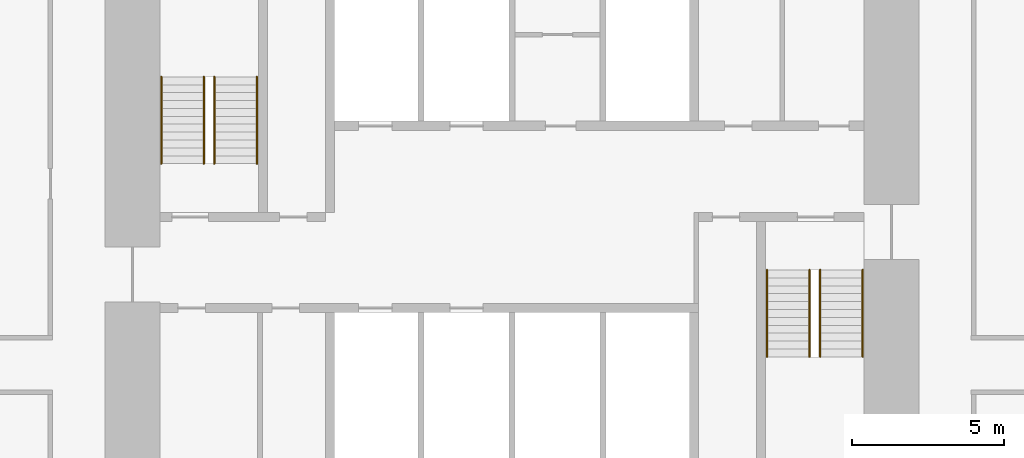
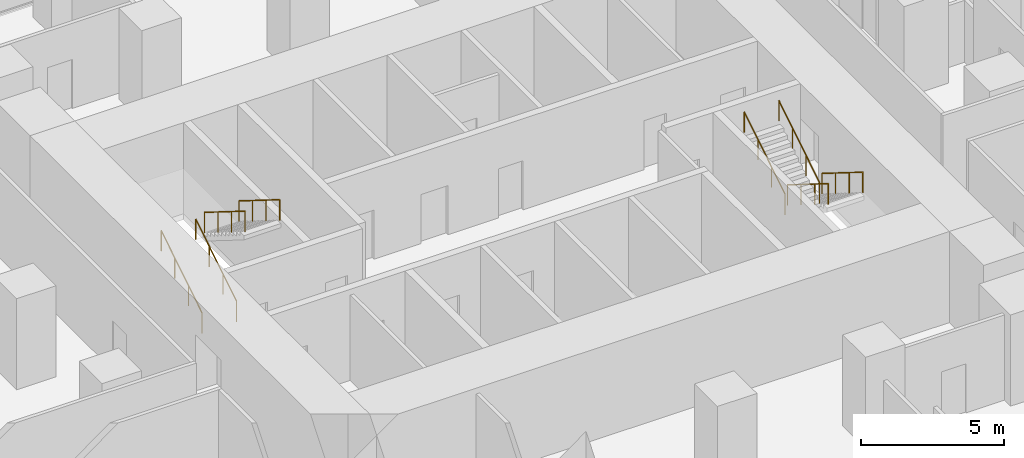
# One storey, part 11 of 11: 8 railings.
"""IFC4 building model written with IfcOpenShell, lengths in metres."""

from ifc_helpers import new_model, si_unit, direction, frame, origin, origin_2d, place, context, subcontext, project, spatial, circle, extrude, material, type_object, element, save


model = new_model("IFC4")

# Units and contexts
model_context = context("Model", 3, precision=1e-05, world=origin(), true_north=direction((0.0, 1.0)))
body_context = subcontext(model_context, "Body", "Model", "MODEL_VIEW")
ifc_project = project(units=[si_unit("LENGTHUNIT", "METRE"), si_unit("AREAUNIT", "SQUARE_METRE"), si_unit("VOLUMEUNIT", "CUBIC_METRE"), si_unit("PLANEANGLEUNIT", "RADIAN"), si_unit("MASSUNIT", "GRAM", prefix="KILO")], contexts=[model_context])

# Site, building, storey
site_placement = place(None, origin())
site = spatial("IfcSite", under=ifc_project, at=site_placement, CompositionType="ELEMENT")
building_placement = place(site_placement, origin())
building = spatial("IfcBuilding", under=site, at=building_placement, Name="Highveld Stack Headquarters", CompositionType="ELEMENT")
storey_placement = place(building_placement, frame((0.0, 0.0, 152.300048828125)))
storey = spatial("IfcBuildingStorey", under=building, at=storey_placement, Name="L37", CompositionType="ELEMENT", Elevation=152.300048828125)

# Railings
ifc_material = material(Name="Stainless steel handrail", Category="steel")
railing_type = type_object("IfcRailingType", Name="STAIR HANDRAIL HR1 900", PredefinedType="HANDRAIL", material=ifc_material)
for number, where, name in (
    (1, (-5.550048828125, 4.75, 0.162353515625), "Handrail S1 L37 flight 1"),
    (2, (-4.14990234375, 4.75, 0.162353515625), "Handrail S1 L37 flight 1"),
):
    element("IfcRailing", number, at=place(storey_placement, frame(where)), inside=storey, type_object=railing_type, Name=name, PredefinedType="HANDRAIL", context=body_context, shape_type="SweptSolid", body=[
        extrude(circle(Radius=0.02392578125, at=origin_2d()), frame((0.0, 0.0, 0.8759765625), z_axis=(0.0, 0.847994237388, 0.530005446535), x_axis=(-1.0, 0.0, 0.0)), (0.0, 0.0, 1.0), 3.372802734375),
        extrude(circle(Radius=0.02099609375, at=origin_2d()), origin(), (0.0, 0.0, 1.0), 0.851806640625),
        extrude(circle(Radius=0.02099609375, at=origin_2d()), frame((0.0, 0.953369140625, 0.595947265625)), (0.0, 0.0, 1.0), 0.851806640625),
        extrude(circle(Radius=0.02099609375, at=origin_2d()), frame((0.0, 1.90673828125, 1.191650390625)), (0.0, 0.0, 1.0), 0.851806640625),
        extrude(circle(Radius=0.02099609375, at=origin_2d()), frame((0.0, 2.860107421875, 1.78759765625)), (0.0, 0.0, 1.0), 0.851806640625),
    ])
for number, where, name in (
    (3, (-3.800048828125, 7.610107421875, 2.112548828125), "Handrail S1 L37 flight 2"),
    (4, (-2.39990234375, 7.610107421875, 2.112548828125), "Handrail S1 L37 flight 2"),
):
    element("IfcRailing", number, at=place(storey_placement, frame(where)), inside=storey, type_object=railing_type, Name=name, PredefinedType="HANDRAIL", context=body_context, shape_type="SweptSolid", body=[
        extrude(circle(Radius=0.02392578125, at=origin_2d()), frame((0.0, 0.0, 0.8759765625), z_axis=(0.0, -0.848026770018, 0.529953391661), x_axis=(1.0, 0.0, 0.0)), (0.0, 0.0, 1.0), 3.37255859375),
        extrude(circle(Radius=0.02099609375, at=origin_2d()), origin(), (0.0, 0.0, 1.0), 0.851806640625),
        extrude(circle(Radius=0.02099609375, at=origin_2d()), frame((0.0, -0.953369140625, 0.595703125)), (0.0, 0.0, 1.0), 0.851806640625),
        extrude(circle(Radius=0.02099609375, at=origin_2d()), frame((0.0, -1.90673828125, 1.191650390625)), (0.0, 0.0, 1.0), 0.851806640625),
        extrude(circle(Radius=0.02099609375, at=origin_2d()), frame((0.0, -2.860107421875, 1.787353515625)), (0.0, 0.0, 1.0), 0.851806640625),
    ])
for number, where, name in (
    (5, (16.14990234375, 1.25, 0.162353515625), "Handrail S2 L37 flight 1"),
    (6, (17.550048828125, 1.25, 0.162353515625), "Handrail S2 L37 flight 1"),
):
    element("IfcRailing", number, at=place(storey_placement, frame(where)), inside=storey, type_object=railing_type, Name=name, PredefinedType="HANDRAIL", context=body_context, shape_type="SweptSolid", body=[
        extrude(circle(Radius=0.02392578125, at=origin_2d()), frame((0.0, 0.0, 0.8759765625), z_axis=(0.0, -0.847994237388, 0.530005446535), x_axis=(1.0, 0.0, 0.0)), (0.0, 0.0, 1.0), 3.372802734375),
        extrude(circle(Radius=0.02099609375, at=origin_2d()), origin(), (0.0, 0.0, 1.0), 0.851806640625),
        extrude(circle(Radius=0.02099609375, at=origin_2d()), frame((0.0, -0.953369140625, 0.595947265625)), (0.0, 0.0, 1.0), 0.851806640625),
        extrude(circle(Radius=0.02099609375, at=origin_2d()), frame((0.0, -1.90673828125, 1.191650390625)), (0.0, 0.0, 1.0), 0.851806640625),
        extrude(circle(Radius=0.02099609375, at=origin_2d()), frame((0.0, -2.860107421875, 1.78759765625)), (0.0, 0.0, 1.0), 0.851806640625),
    ])
for number, where, name in (
    (7, (14.39990234375, -1.610107421875, 2.112548828125), "Handrail S2 L37 flight 2"),
    (8, (15.800048828125, -1.610107421875, 2.112548828125), "Handrail S2 L37 flight 2"),
):
    element("IfcRailing", number, at=place(storey_placement, frame(where)), inside=storey, type_object=railing_type, Name=name, PredefinedType="HANDRAIL", context=body_context, shape_type="SweptSolid", body=[
        extrude(circle(Radius=0.02392578125, at=origin_2d()), frame((0.0, 0.0, 0.8759765625), z_axis=(0.0, 0.848026770018, 0.529953391661), x_axis=(-1.0, 0.0, 0.0)), (0.0, 0.0, 1.0), 3.37255859375),
        extrude(circle(Radius=0.02099609375, at=origin_2d()), origin(), (0.0, 0.0, 1.0), 0.851806640625),
        extrude(circle(Radius=0.02099609375, at=origin_2d()), frame((0.0, 0.953369140625, 0.595703125)), (0.0, 0.0, 1.0), 0.851806640625),
        extrude(circle(Radius=0.02099609375, at=origin_2d()), frame((0.0, 1.90673828125, 1.191650390625)), (0.0, 0.0, 1.0), 0.851806640625),
        extrude(circle(Radius=0.02099609375, at=origin_2d()), frame((0.0, 2.860107421875, 1.787353515625)), (0.0, 0.0, 1.0), 0.851806640625),
    ])

save(model, "model.ifc")
